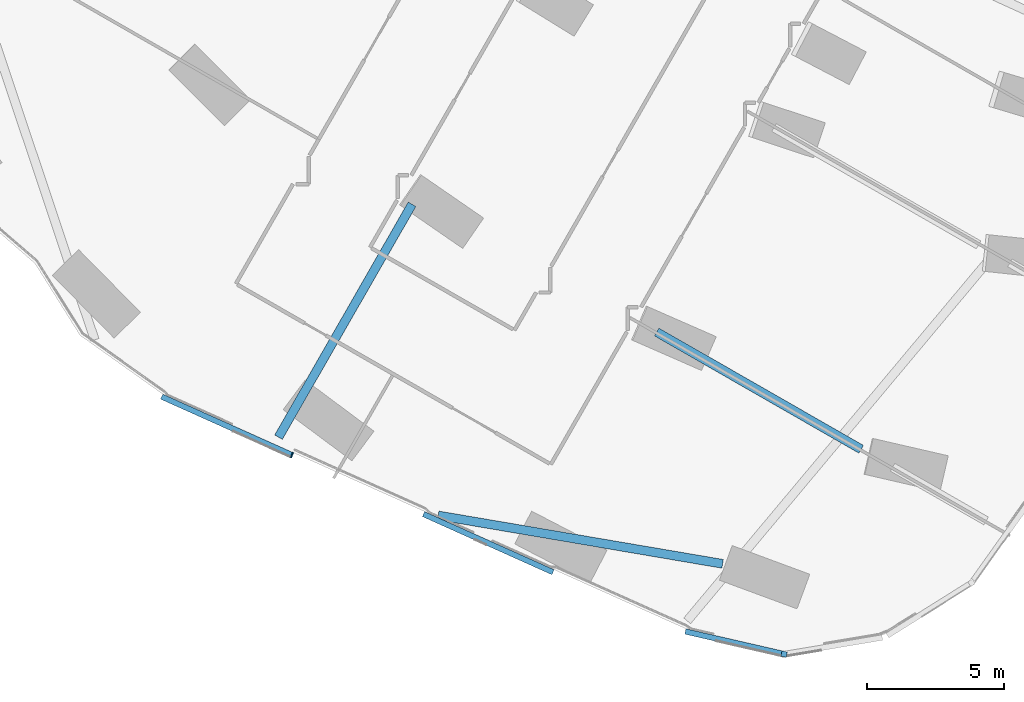
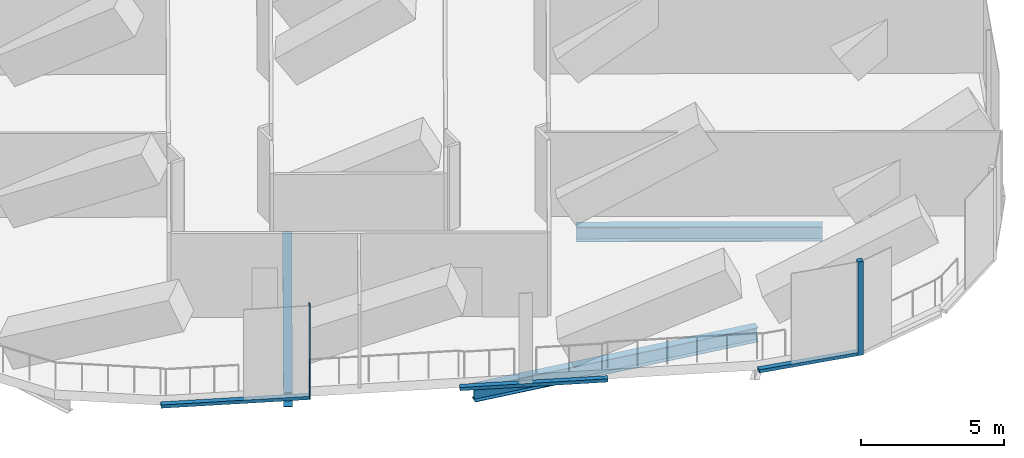
# One storey, part 3 of 37: 5 members, 3 beams, 2 elements without a shape of their own.
"""IFC4 building model written with IfcOpenShell, lengths in metres."""

from ifc_helpers import new_model, si_unit, direction, frame, origin, origin_2d, place, context, subcontext, project, spatial, rectangle, i_section, extrude, material, material_profile, profile_set, type_object, element, aggregate, save


model = new_model("IFC4")

# Units and contexts
model_context = context("Model", 3, precision=1e-05, world=origin(), true_north=direction((0.0, 1.0)))
body_context = subcontext(model_context, "Body", "Model", "MODEL_VIEW")
ifc_project = project(units=[si_unit("LENGTHUNIT", "METRE"), si_unit("AREAUNIT", "SQUARE_METRE"), si_unit("VOLUMEUNIT", "CUBIC_METRE"), si_unit("PLANEANGLEUNIT", "RADIAN"), si_unit("MASSUNIT", "GRAM", prefix="KILO")], contexts=[model_context])

# Site, building, storey
site_placement = place(None, origin())
site = spatial("IfcSite", under=ifc_project, at=site_placement, CompositionType="ELEMENT")
building_placement = place(site_placement, origin())
building = spatial("IfcBuilding", under=site, at=building_placement, Name="Orlundy Tower", CompositionType="ELEMENT")
storey_placement = place(building_placement, frame((0.0, 0.0, 119.699951171875)))
storey = spatial("IfcBuildingStorey", under=building, at=storey_placement, Name="L30", CompositionType="ELEMENT", Elevation=119.699951171875)

# Beams
ifc_material_1 = material(Name="Steel ASTM A992 Gr 50", Category="steel")
ifc_material_profile_1 = material_profile(ifc_material_1, i_section(OverallWidth=0.32373046875, OverallDepth=0.611083984375, WebThickness=0.0126953125, FlangeThickness=0.01904296875, at=origin_2d()), Name="W24X104")
ifc_profile_set_1 = profile_set([ifc_material_profile_1], Name="Steel ASTM A992 Gr 50")
beam_type_1 = type_object("IfcBeamType", Name="CANTILEVER GIRDER beam W24X104", PredefinedType="BEAM", material=ifc_profile_set_1)
beam_1_placement = place(storey_placement, frame((-30.095703125, -52.479736328125, -0.70556640625), z_axis=(0.497411526619, 0.867514710646, 0.0), x_axis=(-0.867514710646, 0.497411526619, 0.0)))
element("IfcBeam", 1, at=beam_1_placement, inside=storey, type_object=beam_type_1, Name="Cantilever girder C-B3-5 L30", PredefinedType="BEAM", context=body_context, shape_type="SweptSolid", body=[
    extrude(i_section(OverallWidth=0.32373046875, OverallDepth=0.611083984375, WebThickness=0.0126953125, FlangeThickness=0.01904296875, at=origin_2d()), origin(), (0.0, 0.0, 1.0), 9.830078125),
])
beam_2_placement = place(storey_placement, frame((-24.248046875, -55.348388671875, -0.70556640625), z_axis=(0.98584588094, -0.16765410533, 0.0), x_axis=(0.16765410533, 0.98584588094, 0.0)))
element("IfcBeam", 2, at=beam_2_placement, inside=storey, type_object=beam_type_1, Name="Cantilever girder C-B4-5 L30", PredefinedType="BEAM", context=body_context, shape_type="SweptSolid", body=[
    extrude(i_section(OverallWidth=0.32373046875, OverallDepth=0.611083984375, WebThickness=0.0126953125, FlangeThickness=0.01904296875, at=origin_2d()), origin(), (0.0, 0.0, 1.0), 10.56640625),
])
ifc_material_2 = material(Name="Steel ASTM A992 Gr 50", Category="steel")
ifc_material_profile_2 = material_profile(ifc_material_2, i_section(OverallWidth=0.3291015625, OverallDepth=0.635009765625, WebThickness=0.017822265625, FlangeThickness=0.031005859375, at=origin_2d()), Name="W24X162")
ifc_profile_set_2 = profile_set([ifc_material_profile_2], Name="Steel ASTM A992 Gr 50")
beam_type_2 = type_object("IfcBeamType", Name="CANTILEVER GIRDER beam W24X162", PredefinedType="BEAM", material=ifc_profile_set_2)
beam_3_placement = place(storey_placement, frame((-8.7548828125, -52.9248046875, -0.717529296875), z_axis=(-0.867504398842, 0.497429510574, 0.0), x_axis=(-0.497429510574, -0.867504398842, 0.0)))
element("IfcBeam", 3, at=beam_3_placement, inside=storey, type_object=beam_type_2, Name="Back-span girder C-B5-3 L30", PredefinedType="BEAM", context=body_context, shape_type="SweptSolid", body=[
    extrude(i_section(OverallWidth=0.3291015625, OverallDepth=0.635009765625, WebThickness=0.017822265625, FlangeThickness=0.031005859375, at=origin_2d()), origin(), (0.0, 0.0, 1.0), 8.63427734375),
])

# Curtain wall, member
ifc_material_3 = material(Name="Aluminium bronze anodised", Category="aluminium")
curtain_wall_type = type_object("IfcCurtainWallType", Name="CW5 wall", PredefinedType="NOTDEFINED", material=ifc_material_3)
curtain_wall_1_placement = place(storey_placement, origin())
curtain_wall_1 = element("IfcCurtainWall", 4, at=curtain_wall_1_placement, inside=storey, type_object=curtain_wall_type, Name="CW5 run 034", PredefinedType="NOTDEFINED")
ifc_material_4 = material(Name="Aluminium bronze anodised", Category="aluminium")
ifc_material_profile_3 = material_profile(ifc_material_4, rectangle(XDim=0.199951171875, YDim=0.199951171875, at=origin_2d()), Name="CW5 corner post 200x200")
ifc_profile_set_3 = profile_set([ifc_material_profile_3], Name="Aluminium bronze anodised")
member_type_1 = type_object("IfcMemberType", Name="CW5 corner post 200x200", PredefinedType="MULLION", material=ifc_profile_set_3)
member_1_placement = place(storey_placement, frame((-11.578857421875, -60.427001953125, -0.39990234375), z_axis=(0.0, 0.0, 1.0), x_axis=(-0.223696612955, -0.974658825104, 0.0)))
member_1 = element("IfcMember", 5, at=member_1_placement, type_object=member_type_1, Name="CW5 mullion 59", PredefinedType="MULLION", context=body_context, shape_type="SweptSolid", body=[
    extrude(rectangle(XDim=0.199951171875, YDim=0.199951171875, at=origin_2d()), origin(), (0.0, 0.0, 1.0), 4.0),
])

curtain_wall_2_placement = place(storey_placement, origin())
curtain_wall_2 = element("IfcCurtainWall", 6, at=curtain_wall_2_placement, inside=storey, type_object=curtain_wall_type, Name="CW5 run 035", PredefinedType="NOTDEFINED")
ifc_material_5 = material(Name="Aluminium bronze anodised", Category="aluminium")
ifc_material_profile_4 = material_profile(ifc_material_5, rectangle(XDim=0.199951171875, YDim=0.050048828125, at=origin_2d()), Name="CW5 mullion 50x200")
ifc_profile_set_4 = profile_set([ifc_material_profile_4], Name="Aluminium bronze anodised")
member_type_2 = type_object("IfcMemberType", Name="CW5 mullion 50x200", PredefinedType="MULLION", material=ifc_profile_set_4)
member_2_placement = place(storey_placement, frame((-29.598876953125, -53.139404296875, -0.39990234375), z_axis=(0.0, 0.0, 1.0), x_axis=(-0.409374450241, -0.912366461182, 0.0)))
member_2 = element("IfcMember", 7, at=member_2_placement, type_object=member_type_2, Name="CW5 mullion 63", PredefinedType="MULLION", context=body_context, shape_type="SweptSolid", body=[
    extrude(rectangle(XDim=0.199951171875, YDim=0.050048828125, at=origin_2d()), origin(), (0.0, 0.0, 1.0), 4.0),
])

# Member
ifc_material_6 = material(Name="Aluminium bronze anodised", Category="aluminium")
ifc_material_profile_5 = material_profile(ifc_material_6, rectangle(XDim=0.199951171875, YDim=0.139892578125, at=origin_2d()), Name="CW5 transom 200x140")
ifc_profile_set_5 = profile_set([ifc_material_profile_5], Name="Aluminium bronze anodised")
member_type_3 = type_object("IfcMemberType", Name="CW5 transom 200x140", PredefinedType="USERDEFINED", material=ifc_profile_set_5)
member_3_placement = place(storey_placement, frame((-11.676513671875, -60.404541015625, -0.329833984375), z_axis=(-0.974661722978, 0.223683986375, 0.0), x_axis=(-0.223683986375, -0.974661722978, 0.0)))
member_3 = element("IfcMember", 8, at=member_3_placement, type_object=member_type_3, Name="CW5 transom", ObjectType="TRANSOM", PredefinedType="USERDEFINED", context=body_context, shape_type="SweptSolid", body=[
    extrude(rectangle(XDim=0.199951171875, YDim=0.139892578125, at=origin_2d()), origin(), (0.0, 0.0, 1.0), 3.610595703125),
])

aggregate(curtain_wall_1, [member_1, member_3])

member_4_placement = place(storey_placement, frame((-20.041748046875, -57.427734375, -0.329833984375), z_axis=(-0.912375119923, 0.409355152092, 0.0), x_axis=(-0.409355152092, -0.912375119923, 0.0)))
member_4 = element("IfcMember", 9, at=member_4_placement, type_object=member_type_3, Name="CW5 transom", ObjectType="TRANSOM", PredefinedType="USERDEFINED", context=body_context, shape_type="SweptSolid", body=[
    extrude(rectangle(XDim=0.199951171875, YDim=0.139892578125, at=origin_2d()), origin(), (0.0, 0.0, 1.0), 5.199951171875),
])

member_5_placement = place(storey_placement, frame((-29.621826171875, -53.129150390625, -0.329833984375), z_axis=(-0.91237778228, 0.409349218153, 0.0), x_axis=(-0.409349218153, -0.91237778228, 0.0)))
member_5 = element("IfcMember", 10, at=member_5_placement, type_object=member_type_3, Name="CW5 transom", ObjectType="TRANSOM", PredefinedType="USERDEFINED", context=body_context, shape_type="SweptSolid", body=[
    extrude(rectangle(XDim=0.199951171875, YDim=0.139892578125, at=origin_2d()), origin(), (0.0, 0.0, 1.0), 5.209716796875),
])

aggregate(curtain_wall_2, [member_2, member_4, member_5])

save(model, "model.ifc")
